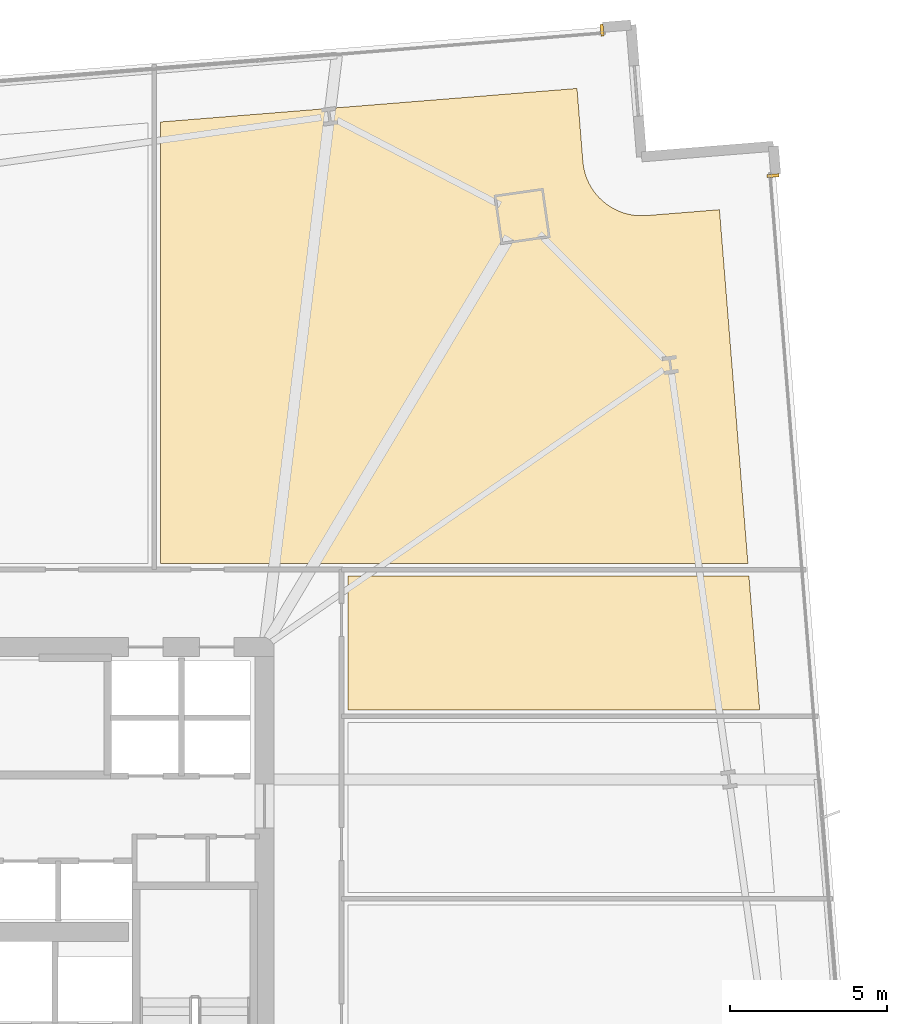
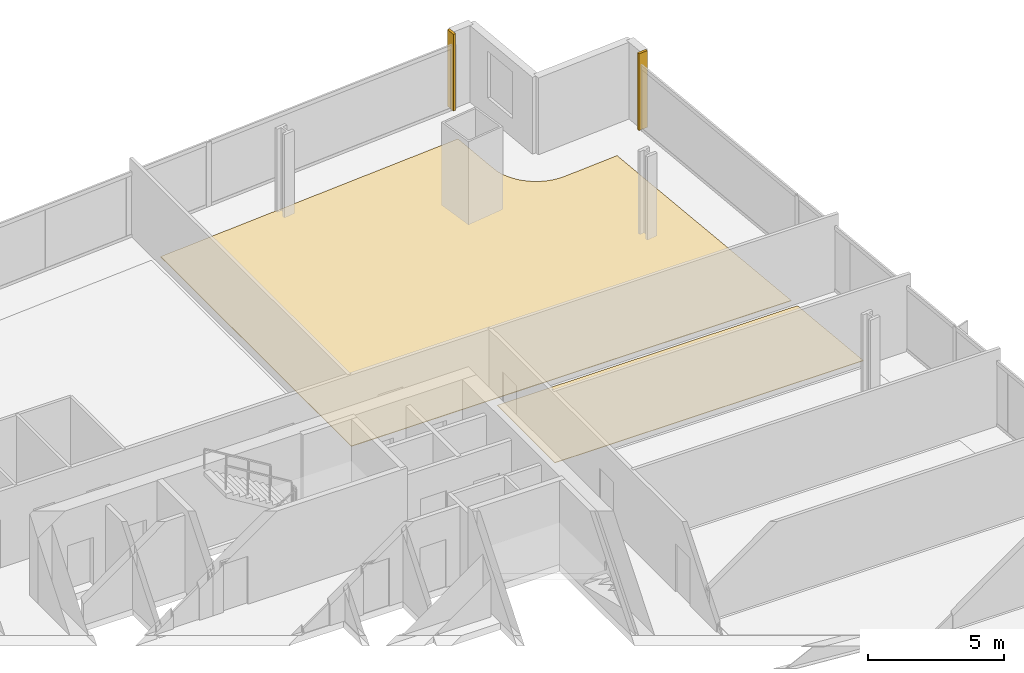
# One storey, part 33 of 33: 4 coverings.
"""IFC4 building model written with IfcOpenShell, lengths in metres."""

import ifcopenshell
import ifcopenshell.guid

model = None  # the IFC model being written
_history = None  # IfcOwnerHistory: only IFC2X3 demands one
_inside = {}  # id of a spatial element -> (the spatial element, [elements in it])
_under = {}  # id of a project, library or spatial element -> (it, [spatial elements below it])
_declared = {}  # id of a project -> (the project, [libraries it declares])
_typed = {}  # id of a type object -> (the type object, [elements of that type])
_made_of = {}  # id of a material, layer set ... -> (it, [elements and type objects made of it])


def new_model(schema):
    """Start an empty IFC model of exactly this schema.

    Asked for "IFC4X3", IfcOpenShell would pick the latest addendum, in which some entities
    have other attributes; the version numbers below select the first issue.
    IFC2X3 requires an IfcOwnerHistory on every rooted entity: one is made here for all.
    """
    global model, _history
    if schema == "IFC4X3":
        model = ifcopenshell.file(schema_version=(4, 3, 0, 0))
    else:
        model = ifcopenshell.file(schema=schema)
    _inside.clear()
    _under.clear()
    _declared.clear()
    _typed.clear()
    _made_of.clear()
    _history = None
    if model.schema == "IFC2X3":
        org = make("IfcOrganization", Name="unknown")
        user = make(
            "IfcPersonAndOrganization",
            ThePerson=make("IfcPerson", FamilyName="unknown"),
            TheOrganization=org,
        )
        app = make(
            "IfcApplication",
            ApplicationDeveloper=org,
            Version="unknown",
            ApplicationFullName="unknown",
            ApplicationIdentifier="unknown",
        )
        _history = make(
            "IfcOwnerHistory",
            OwningUser=user,
            OwningApplication=app,
            ChangeAction="ADDED",
            CreationDate=0,
        )
    return model


def make(cls, **values):
    """One entity of the class cls with the attributes given. An attribute that is None is left unset."""
    return model.create_entity(
        cls, **{name: value for name, value in values.items() if value is not None}
    )


def rooted(cls, **values):
    """An entity with a GlobalId (a new one), such as an element, a storey or a relation."""
    return make(cls, GlobalId=ifcopenshell.guid.new(), OwnerHistory=_history, **values)


def si_unit(unit_type, name, prefix=None):
    """IfcSIUnit, for example si_unit("LENGTHUNIT", "METRE", prefix="MILLI")."""
    return make("IfcSIUnit", UnitType=unit_type, Prefix=prefix, Name=name)


def assignment(units):
    """IfcUnitAssignment: the units of a project."""
    return None if units is None else make("IfcUnitAssignment", Units=units)


def point(xyz):
    """IfcCartesianPoint."""
    return None if xyz is None else make("IfcCartesianPoint", Coordinates=xyz)


def direction(xyz):
    """IfcDirection."""
    return None if xyz is None else make("IfcDirection", DirectionRatios=xyz)


def frame(location, z_axis=None, x_axis=None):
    """IfcAxis2Placement3D, a coordinate frame: its origin and axes. An axis left out is left unset."""
    return make(
        "IfcAxis2Placement3D",
        Location=point(location),
        Axis=direction(z_axis),
        RefDirection=direction(x_axis),
    )


def frame_2d(location, x_axis=None):
    """IfcAxis2Placement2D, a coordinate frame in the plane: its origin and x axis."""
    return make(
        "IfcAxis2Placement2D", Location=point(location), RefDirection=direction(x_axis)
    )


def origin():
    """The frame at (0, 0, 0) with its axes left unset."""
    return frame((0.0, 0.0, 0.0))


def origin_2d():
    """The frame at (0, 0) in the plane with its x axis left unset."""
    return frame_2d((0.0, 0.0))


def place(relative_to, where):
    """IfcLocalPlacement: puts the frame where relative to a parent placement (None: the world)."""
    return make(
        "IfcLocalPlacement", PlacementRelTo=relative_to, RelativePlacement=where
    )


def context(
    kind, dimensions, precision=None, world=None, true_north=None, identifier=None
):
    """IfcGeometricRepresentationContext, for example the 3D "Model" context."""
    return make(
        "IfcGeometricRepresentationContext",
        ContextIdentifier=identifier,
        ContextType=kind,
        CoordinateSpaceDimension=dimensions,
        Precision=precision,
        WorldCoordinateSystem=world,
        TrueNorth=true_north,
    )


def subcontext(parent, identifier, kind, view, scale=None):
    """IfcGeometricRepresentationSubContext, for example "Body" below "Model"."""
    return make(
        "IfcGeometricRepresentationSubContext",
        ContextIdentifier=identifier,
        ContextType=kind,
        ParentContext=parent,
        TargetScale=scale,
        TargetView=view,
    )


def project(units=None, contexts=None):
    """IfcProject with its units and contexts."""
    return rooted(
        "IfcProject",
        Name="project",
        RepresentationContexts=contexts,
        UnitsInContext=assignment(units),
    )


def spatial(cls, under=None, at=None, **own):
    """A site, building, storey or space (cls), placed at a placement, below another one or the project."""
    s = rooted(cls, ObjectPlacement=at, **own)
    if under is not None:
        _under.setdefault(under.id(), (under, []))[1].append(s)
    return s


def polyline(points):
    """IfcPolyline through the points."""
    return make("IfcPolyline", Points=[point(p) for p in points])


def profile(cls, at=None, kind="AREA", **sizes):
    """A parametric profile (cls). Its sizes go by their IFC names, for example OverallWidth=200.0."""
    return make(cls, ProfileType=kind, Position=at, **sizes)


def rectangle(**sizes):
    """IfcRectangleProfileDef."""
    return profile("IfcRectangleProfileDef", **sizes)


def outline(outer, holes=None, kind="AREA"):
    """IfcArbitraryClosedProfileDef: a profile drawn as a closed curve; with holes, ...WithVoids."""
    if holes is None:
        return make("IfcArbitraryClosedProfileDef", ProfileType=kind, OuterCurve=outer)
    return make(
        "IfcArbitraryProfileDefWithVoids",
        ProfileType=kind,
        OuterCurve=outer,
        InnerCurves=holes,
    )


def extrude(swept, where, along, depth):
    """IfcExtrudedAreaSolid: the profile swept, set in the frame where, extruded along a direction by depth."""
    return make(
        "IfcExtrudedAreaSolid",
        SweptArea=swept,
        Position=where,
        ExtrudedDirection=direction(along),
        Depth=depth,
    )


def shape(context_of_items, identifier, shape_type, items):
    """IfcShapeRepresentation: the items that make up one representation, for example the "Body"."""
    return make(
        "IfcShapeRepresentation",
        ContextOfItems=context_of_items,
        RepresentationIdentifier=identifier,
        RepresentationType=shape_type,
        Items=items,
    )


def source(mapping_origin, context_of_items, identifier, shape_type, items):
    """IfcRepresentationMap: a shape defined once, which mapped items show again and again."""
    return make(
        "IfcRepresentationMap",
        MappingOrigin=mapping_origin,
        MappedRepresentation=shape(context_of_items, identifier, shape_type, items),
    )


def transform(
    local_origin,
    x_axis=None,
    y_axis=None,
    z_axis=None,
    scale=None,
    scale2=None,
    scale3=None,
    uniform=True,
):
    """IfcCartesianTransformationOperator3D, or its non-uniform kind. x_axis, y_axis, z_axis: its Axis1, 2, 3."""
    if uniform:
        return make(
            "IfcCartesianTransformationOperator3D",
            Axis1=direction(x_axis),
            Axis2=direction(y_axis),
            LocalOrigin=point(local_origin),
            Scale=scale,
            Axis3=direction(z_axis),
        )
    return make(
        "IfcCartesianTransformationOperator3DnonUniform",
        Axis1=direction(x_axis),
        Axis2=direction(y_axis),
        LocalOrigin=point(local_origin),
        Scale=scale,
        Axis3=direction(z_axis),
        Scale2=scale2,
        Scale3=scale3,
    )


def mapped(mapping_source, mapping_target):
    """IfcMappedItem: shows the shape of a source again, moved by a transform."""
    return make(
        "IfcMappedItem", MappingSource=mapping_source, MappingTarget=mapping_target
    )


def material(Name=None, Category=None):
    """IfcMaterial."""
    return make("IfcMaterial", Name=Name, Category=Category)


def layer(
    of_material, thickness, ventilated=None, Name=None, Category=None, Priority=None
):
    """IfcMaterialLayer: one layer of a wall or slab, of a material (None: an air gap)."""
    return make(
        "IfcMaterialLayer",
        Material=of_material,
        LayerThickness=thickness,
        IsVentilated=ventilated,
        Name=Name,
        Category=Category,
        Priority=Priority,
    )


def layer_set(layers, Name=None):
    """IfcMaterialLayerSet."""
    return make("IfcMaterialLayerSet", MaterialLayers=layers, LayerSetName=Name)


def made_of(thing, what):
    """Note that an element or type object is made of a material, layer set ...; save() writes the relation."""
    if what is not None:
        _made_of.setdefault(what.id(), (what, []))[1].append(thing)
    return thing


def type_object(cls, material=None, **own):
    """A type object (cls), such as IfcWallType, which elements share."""
    return made_of(rooted(cls, **own), material)


def element(
    cls,
    number,
    at=None,
    inside=None,
    cuts=None,
    type_object=None,
    material=None,
    context=None,
    identifier="Body",
    shape_type=None,
    held_by="IfcProductDefinitionShape",
    body=None,
    shapes=None,
    **own,
):
    """One element of the class cls, such as IfcWall. Its Tag is "e" and its number.

    at: its placement. inside: the storey or other place that contains it. cuts: it is an
    opening in that element (IfcRelVoidsElement). A single representation is given by context,
    identifier, shape_type and body (its items); several are given by shapes. held_by: the class
    of the entity that holds the representations. save() writes the other relations.
    """
    e = rooted(cls, Tag="e%d" % number, ObjectPlacement=at, **own)
    if body is not None:
        shapes = [shape(context, identifier, shape_type, body)]
    if shapes is not None:
        e.Representation = make(held_by, Representations=shapes)
    if inside is not None:
        _inside.setdefault(inside.id(), (inside, []))[1].append(e)
    if cuts is not None:
        rooted(
            "IfcRelVoidsElement", RelatingBuildingElement=cuts, RelatedOpeningElement=e
        )
    if type_object is not None:
        _typed.setdefault(type_object.id(), (type_object, []))[1].append(e)
    return made_of(e, material)


def aggregate(whole, parts):
    """IfcRelAggregates: a whole, such as a stair, and the parts it consists of."""
    return rooted("IfcRelAggregates", RelatingObject=whole, RelatedObjects=parts)


def save(model, path):
    """Write the relations noted so far, then the file.

    IfcRelAggregates (storeys below a building ...), IfcRelContainedInSpatialStructure (elements
    in a storey), IfcRelDefinesByType, IfcRelAssociatesMaterial and IfcRelDeclares: one each for
    every whole, place, type object, material and project.
    """
    for whole, parts in _under.values():
        aggregate(whole, parts)
    for where, things in _inside.values():
        rooted(
            "IfcRelContainedInSpatialStructure",
            RelatedElements=things,
            RelatingStructure=where,
        )
    for kind, things in _typed.values():
        rooted("IfcRelDefinesByType", RelatedObjects=things, RelatingType=kind)
    for what, things in _made_of.values():
        rooted("IfcRelAssociatesMaterial", RelatedObjects=things, RelatingMaterial=what)
    for by, libraries in _declared.values():
        rooted("IfcRelDeclares", RelatingContext=by, RelatedDefinitions=libraries)
    model.write(path)


model = new_model("IFC4")

# Units and contexts
model_context = context("Model", 3, precision=1e-05, world=origin(), true_north=direction((0.0, 1.0)))
body_context = subcontext(model_context, "Body", "Model", "MODEL_VIEW")
ifc_project = project(units=[si_unit("LENGTHUNIT", "METRE"), si_unit("AREAUNIT", "SQUARE_METRE"), si_unit("VOLUMEUNIT", "CUBIC_METRE"), si_unit("PLANEANGLEUNIT", "RADIAN"), si_unit("MASSUNIT", "GRAM", prefix="KILO")], contexts=[model_context])

# Site, building, storey
site_placement = place(None, origin())
site = spatial("IfcSite", under=ifc_project, at=site_placement, CompositionType="ELEMENT")
building_placement = place(site_placement, origin())
building = spatial("IfcBuilding", under=site, at=building_placement, Name="Haldenkirk Collegiate Tower", CompositionType="ELEMENT")
storey_placement = place(building_placement, frame((0.0, 0.0, 43.949951171875)))
storey = spatial("IfcBuildingStorey", under=building, at=storey_placement, Name="L09", CompositionType="ELEMENT", Elevation=43.949951171875)

# Coverings
ifc_material_1 = material(Name="Polished collegiate terrazzo", Category="concrete")
ifc_layer_1 = layer(ifc_material_1, 0.02490234375)
ifc_layer_set_1 = layer_set([ifc_layer_1], Name="Polished collegiate terrazzo")
covering_type_1 = type_object("IfcCoveringType", Name="COV-FLOOR-TERRAZZO", PredefinedType="FLOORING", material=ifc_layer_set_1)
covering_1_placement = place(storey_placement, origin())
element("IfcCovering", 1, at=covering_1_placement, inside=storey, type_object=covering_type_1, Name="L09 academic room finish 08", PredefinedType="FLOORING", context=body_context, shape_type="SweptSolid", body=[
    extrude(outline(polyline([(54.927490234375, 51.73095703125), (55.1142578125, 49.408447265625), (55.11474609375, 49.402587890625), (55.136962890625, 49.232177734375), (55.13916015625, 49.220703125), (55.177734375, 49.053466796875), (55.180908203125, 49.0419921875), (55.236083984375, 48.879150390625), (55.240234375, 48.868408203125), (55.310791015625, 48.7119140625), (55.31640625, 48.701171875), (55.402099609375, 48.55224609375), (55.408447265625, 48.54248046875), (55.50830078125, 48.402587890625), (55.515380859375, 48.3935546875), (55.62841796875, 48.26416015625), (55.63671875, 48.255615234375), (55.76171875, 48.13818359375), (55.770751953125, 48.130615234375), (55.906982421875, 48.025634765625), (55.91650390625, 48.01904296875), (56.062255859375, 47.927978515625), (56.072509765625, 47.92236328125), (56.2265625, 47.84619140625), (56.2373046875, 47.841552734375), (56.39794921875, 47.78076171875), (56.4091796875, 47.777099609375), (56.574951171875, 47.732421875), (56.58642578125, 47.72998046875), (56.755859375, 47.70166015625), (56.767578125, 47.700439453125), (56.93896484375, 47.68896484375), (56.95068359375, 47.688720703125), (57.122314453125, 47.694091796875), (57.128173828125, 47.6943359375), (59.45068359375, 47.88134765625), (60.3544921875, 36.64990234375), (41.699951171875, 36.64990234375), (41.699951171875, 50.66650390625), (54.927490234375, 51.73095703125)])), origin(), (0.0, 0.0, 1.0), 0.025146484375),
])
ifc_material_2 = material(Name="Engineered collegiate oak acoustic flooring", Category="wood")
ifc_layer_2 = layer(ifc_material_2, 0.02197265625)
ifc_layer_set_2 = layer_set([ifc_layer_2], Name="Engineered collegiate oak acoustic flooring")
covering_type_2 = type_object("IfcCoveringType", Name="COV-FLOOR-TIMBER", PredefinedType="FLOORING", material=ifc_layer_set_2)
covering_2_placement = place(storey_placement, origin())
element("IfcCovering", 2, at=covering_2_placement, inside=storey, type_object=covering_type_2, Name="L09 academic room finish 13", PredefinedType="FLOORING", context=body_context, shape_type="SweptSolid", body=[
    extrude(outline(polyline([(60.728515625, 32.0), (47.64990234375, 32.0), (47.64990234375, 36.25), (60.38671875, 36.25), (60.728515625, 32.0)])), origin(), (0.0, 0.0, 1.0), 0.02197265625),
])
ifc_material_3 = material(Name="Anodised architectural bronze aluminium", Category="aluminium")
ifc_layer_3 = layer(ifc_material_3, 0.06005859375)
ifc_layer_set_3 = layer_set([ifc_layer_3], Name="Anodised architectural bronze aluminium")
covering_type_3 = type_object("IfcCoveringType", Name="COV-CLAD-BRONZE-60", PredefinedType="CLADDING", material=ifc_layer_set_3)
shared_shape = source(origin(), body_context, "Body", "SweptSolid", [
    extrude(rectangle(XDim=0.10009765625, YDim=0.3798828125, at=origin_2d()), origin(), (0.0, 0.0, 1.0), 3.43994140625),
])
for number, where, z_axis, x_axis, name in (
    (3, (61.149658203125, 48.9609375, 0.0), (0.0, 0.0, 1.0), (0.080198924329, -0.996778878456, 0.0), "L09 recessed curtain-wall bronze jamb closure EJL"),
    (4, (55.7216796875, 53.58056640625, 0.0), (0.0, 0.0, 1.0), (0.996778878456, 0.080198924329, 0.0), "L09 recessed curtain-wall bronze jamb closure NJR"),
):
    element("IfcCovering", number, at=place(storey_placement, frame(where, z_axis=z_axis, x_axis=x_axis)), inside=storey, type_object=covering_type_3, Name=name, PredefinedType="CLADDING", context=body_context, shape_type="MappedRepresentation", body=[
        mapped(shared_shape, transform((0.0, 0.0, 0.0), x_axis=(1.0, 0.0, 0.0), y_axis=(0.0, 1.0, 0.0), z_axis=(0.0, 0.0, 1.0), scale=1.0)),
    ])

save(model, "model.ifc")
